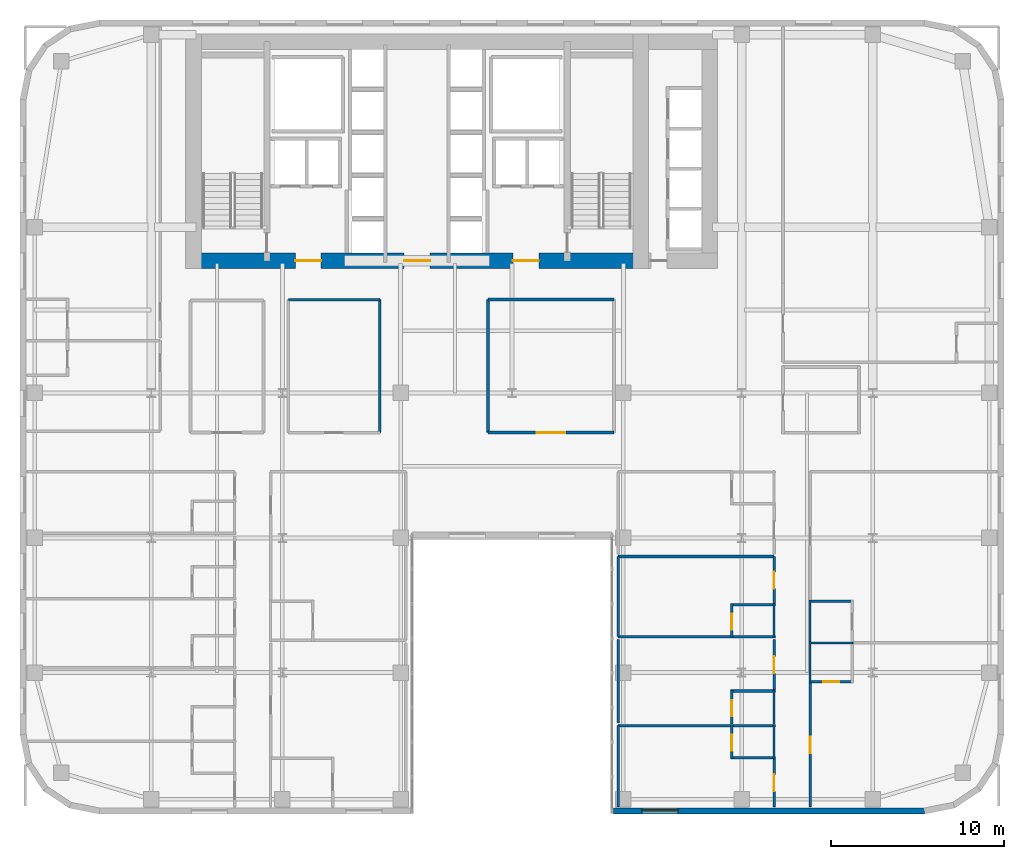
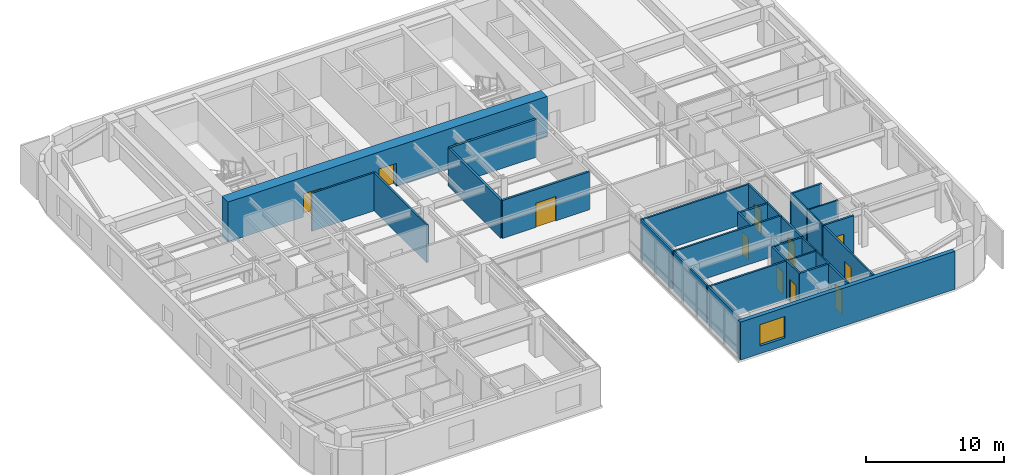
# One storey, part 12 of 16: 32 walls, 12 doors, 1 window, 13 openings.
"""IFC4 building model written with IfcOpenShell, lengths in metres."""

from ifc_helpers import new_model, si_unit, direction, frame, frame_2d, origin, place, context, subcontext, project, spatial, rectangle, extrude, source, transform, mapped, material, layer, layer_set, type_object, type_shapes, element, fill, save


model = new_model("IFC4")

# Units and contexts
model_context = context("Model", 3, precision=1e-05, world=origin(), true_north=direction((0.0, 1.0)))
body_context = subcontext(model_context, "Body", "Model", "MODEL_VIEW")
ifc_project = project(units=[si_unit("LENGTHUNIT", "METRE"), si_unit("AREAUNIT", "SQUARE_METRE"), si_unit("VOLUMEUNIT", "CUBIC_METRE"), si_unit("PLANEANGLEUNIT", "RADIAN"), si_unit("MASSUNIT", "GRAM", prefix="KILO")], contexts=[model_context])

# Site, building, storey
site_placement = place(None, origin())
site = spatial("IfcSite", under=ifc_project, at=site_placement, CompositionType="ELEMENT")
building_placement = place(site_placement, origin())
building = spatial("IfcBuilding", under=site, at=building_placement, Name="Tolvann Quenvar Hotel", CompositionType="ELEMENT")
storey_placement = place(building_placement, frame((0.0, 0.0, 85.25)))
storey = spatial("IfcBuildingStorey", under=building, at=storey_placement, Name="L21", CompositionType="ELEMENT", Elevation=85.25)

# Wall, openings, doors
ifc_material_1 = material(Name="Concrete S80 (80 MPa)", Category="concrete")
ifc_layer_1 = layer(ifc_material_1, 0.89990234375)
ifc_layer_set_1 = layer_set([ifc_layer_1], Name="Concrete S80 (80 MPa)")
wall_type_1 = type_object("IfcWallType", Name="WALL_CORE_900", PredefinedType="SHEAR", material=ifc_layer_set_1)
wall_1_placement = place(storey_placement, frame((9.60009765625, 32.050048828125, 0.0), z_axis=(0.0, 0.0, 1.0), x_axis=(1.0, 0.0, 0.0)))
wall_1 = element("IfcWall", 1, at=wall_1_placement, inside=storey, type_object=wall_type_1, Name="Rear Core S Shear Wall (L21)", PredefinedType="SHEAR", context=body_context, shape_type="SweptSolid", body=[
    extrude(rectangle(XDim=26.7998046875, YDim=0.89990234375, at=frame_2d((13.39990234375, 0.0))), origin(), (0.0, 0.0, 1.0), 3.550048828125),
])
opening_1_placement = place(wall_1_placement, frame((7.85009765625, 0.0, 0.0), z_axis=(0.0, 0.0, 1.0), x_axis=(-1.0, 0.0, 0.0)))
opening_1 = element("IfcOpeningElement", 2, at=opening_1_placement, cuts=wall_1, Name="Opening FD-60D", PredefinedType="OPENING", context=body_context, shape_type="SweptSolid", body=[
    extrude(rectangle(XDim=1.5, YDim=2.0400390625, at=frame_2d((0.75, 1.02001953125))), frame((0.0, 0.4599609375, 0.0), z_axis=(0.0, -1.0, 0.0), x_axis=(1.0, 0.0, 0.0)), (0.0, 0.0, 1.0), 0.919921875),
])
opening_2_placement = place(wall_1_placement, frame((14.14990234375, 0.0, 0.0), z_axis=(0.0, 0.0, 1.0), x_axis=(-1.0, 0.0, 0.0)))
opening_2 = element("IfcOpeningElement", 3, at=opening_2_placement, cuts=wall_1, Name="Opening FD-60D", PredefinedType="OPENING", context=body_context, shape_type="SweptSolid", body=[
    extrude(rectangle(XDim=1.5, YDim=2.0400390625, at=frame_2d((0.75, 1.02001953125))), frame((0.0, 0.4599609375, 0.0), z_axis=(0.0, -1.0, 0.0), x_axis=(1.0, 0.0, 0.0)), (0.0, 0.0, 1.0), 0.919921875),
])
opening_3_placement = place(wall_1_placement, frame((20.449951171875, 0.0, 0.0), z_axis=(0.0, 0.0, 1.0), x_axis=(-1.0, 0.0, 0.0)))
opening_3 = element("IfcOpeningElement", 4, at=opening_3_placement, cuts=wall_1, Name="Opening FD-60D", PredefinedType="OPENING", context=body_context, shape_type="SweptSolid", body=[
    extrude(rectangle(XDim=1.5, YDim=2.0400390625, at=frame_2d((0.75, 1.02001953125))), frame((0.0, 0.4599609375, 0.0), z_axis=(0.0, -1.0, 0.0), x_axis=(1.0, 0.0, 0.0)), (0.0, 0.0, 1.0), 0.919921875),
])
ifc_material_2 = material(Name="Solid-core American oak acoustic fire door leaf in steel frame", Category="steel")
door_type_1 = type_object("IfcDoorType", Name="DOOR_FIRE_LOBBY_1500", OperationType="NOTDEFINED", PredefinedType="DOOR", material=ifc_material_2)
shared_shape_1 = source(origin(), body_context, "Body", "SweptSolid", [
    extrude(rectangle(XDim=1.5, YDim=2.0400390625, at=frame_2d((0.75, 1.02001953125))), frame((0.0, 0.02490234375, 0.0), z_axis=(0.0, -1.0, 0.0), x_axis=(1.0, 0.0, 0.0)), (0.0, 0.0, 1.0), 0.050048828125),
])
type_shapes(door_type_1, [shared_shape_1])
door_1_placement = place(opening_1_placement, origin())
door_1 = element("IfcDoor", 5, at=door_1_placement, inside=storey, type_object=door_type_1, Name="Core Lobby Fire Door FFW (L21)", OperationType="DOUBLE_DOOR_SINGLE_SWING", OverallHeight=2.0400390625, OverallWidth=1.5, PredefinedType="DOOR", context=body_context, shape_type="MappedRepresentation", body=[
    mapped(shared_shape_1, transform((0.0, 0.0, 0.0), x_axis=(1.0, 0.0, 0.0), y_axis=(0.0, 1.0, 0.0), z_axis=(0.0, 0.0, 1.0), scale=1.0)),
])
fill(opening_1, door_1)
door_2_placement = place(opening_2_placement, origin())
door_2 = element("IfcDoor", 6, at=door_2_placement, inside=storey, type_object=door_type_1, Name="Core Lobby Fire Door CLOB (L21)", OperationType="DOUBLE_DOOR_SINGLE_SWING", OverallHeight=2.0400390625, OverallWidth=1.5, PredefinedType="DOOR", context=body_context, shape_type="MappedRepresentation", body=[
    mapped(shared_shape_1, transform((0.0, 0.0, 0.0), x_axis=(1.0, 0.0, 0.0), y_axis=(0.0, 1.0, 0.0), z_axis=(0.0, 0.0, 1.0), scale=1.0)),
])
fill(opening_2, door_2)
door_3_placement = place(opening_3_placement, origin())
door_3 = element("IfcDoor", 7, at=door_3_placement, inside=storey, type_object=door_type_1, Name="Core Lobby Fire Door FFE (L21)", OperationType="DOUBLE_DOOR_SINGLE_SWING", OverallHeight=2.0400390625, OverallWidth=1.5, PredefinedType="DOOR", context=body_context, shape_type="MappedRepresentation", body=[
    mapped(shared_shape_1, transform((0.0, 0.0, 0.0), x_axis=(1.0, 0.0, 0.0), y_axis=(0.0, 1.0, 0.0), z_axis=(0.0, 0.0, 1.0), scale=1.0)),
])
fill(opening_3, door_3)

# Wall, opening, window
ifc_material_3 = material(Name="Kiln-fired red and buff architectural clay brickwork and terracotta masonry", Category="masonry")
ifc_layer_2 = layer(ifc_material_3, 0.35009765625)
ifc_layer_set_2 = layer_set([ifc_layer_2], Name="Kiln-fired red and buff architectural clay brickwork and terracotta masonry")
wall_type_2 = type_object("IfcWallType", Name="WALL_EXT_BRICK_350", PredefinedType="SOLIDWALL", material=ifc_layer_set_2)
wall_2_placement = place(storey_placement, frame((34.375, 0.175048828125, 0.0), z_axis=(0.0, 0.0, 1.0), x_axis=(1.0, 0.0, 0.0)))
wall_2 = element("IfcWall", 8, at=wall_2_placement, inside=storey, type_object=wall_type_2, Name="Exterior Chicago Brick Wall L21-E08", PredefinedType="SOLIDWALL", context=body_context, shape_type="SweptSolid", body=[
    extrude(rectangle(XDim=18.0078125, YDim=0.35009765625, at=frame_2d((9.00390625, 0.0))), origin(), (0.0, 0.0, 1.0), 3.3701171875),
])
opening_4_placement = place(wall_2_placement, frame((1.65087890625, 0.0, 0.679931640625)))
opening_4 = element("IfcOpeningElement", 9, at=opening_4_placement, cuts=wall_2, Name="Opening W-02", PredefinedType="OPENING", context=body_context, shape_type="SweptSolid", body=[
    extrude(rectangle(XDim=2.10009765625, YDim=1.89990234375, at=frame_2d((1.050048828125, 0.949951171875))), frame((0.0, 0.18505859375, 0.0), z_axis=(0.0, -1.0, 0.0), x_axis=(1.0, 0.0, 0.0)), (0.0, 0.0, 1.0), 0.3701171875),
])
ifc_material_4 = material(Name="Thermally broken bronze-anodised aluminium frame with double low-E glazing", Category="aluminium")
window_type = type_object("IfcWindowType", Name="WIN_CHI_2100x2050", PartitioningType="TRIPLE_PANEL_HORIZONTAL", PredefinedType="WINDOW", material=ifc_material_4)
shared_shape_2 = source(origin(), body_context, "Body", "SweptSolid", [
    extrude(rectangle(XDim=2.10009765625, YDim=1.89990234375, at=frame_2d((1.050048828125, 0.949951171875))), frame((0.0, 0.090087890625, 0.0), z_axis=(0.0, -1.0, 0.0), x_axis=(1.0, 0.0, 0.0)), (0.0, 0.0, 1.0), 0.06005859375),
])
type_shapes(window_type, [shared_shape_2])
window_placement = place(opening_4_placement, origin())
window = element("IfcWindow", 10, at=window_placement, inside=storey, type_object=window_type, Name="Chicago Window W-02 (EW-L21-E08-W01)", OverallHeight=1.89990234375, OverallWidth=2.10009765625, PartitioningType="TRIPLE_PANEL_HORIZONTAL", PredefinedType="WINDOW", context=body_context, shape_type="MappedRepresentation", body=[
    mapped(shared_shape_2, transform((0.0, 0.0, 0.0), x_axis=(1.0, 0.0, 0.0), y_axis=(0.0, 1.0, 0.0), z_axis=(0.0, 0.0, 1.0), scale=1.0)),
])
fill(opening_4, window)

# Wall, opening, door
ifc_material_5 = material(Name="Acoustic twin-stud fire-rated gypsum plasterboard partition")
ifc_layer_3 = layer(ifc_material_5, 0.179931640625)
ifc_layer_set_3 = layer_set([ifc_layer_3], Name="Acoustic twin-stud fire-rated gypsum plasterboard partition")
wall_type_3 = type_object("IfcWallType", Name="WALL_PART_ACOUSTIC_180", PredefinedType="PARTITIONING", material=ifc_layer_set_3)
wall_3_placement = place(storey_placement, frame((27.10009765625, 22.10009765625, 0.0), z_axis=(0.0, 0.0, 1.0), x_axis=(1.0, 0.0, 0.0)))
wall_3 = element("IfcWall", 11, at=wall_3_placement, inside=storey, type_object=wall_type_3, Name="Interior Partition PT-SPC-L21-MSP-C-S", PredefinedType="PARTITIONING", context=body_context, shape_type="SweptSolid", body=[
    extrude(rectangle(XDim=7.2998046875, YDim=0.179931640625, at=frame_2d((3.64990234375, 0.0))), origin(), (0.0, 0.0, 1.0), 3.3701171875),
])
opening_5_placement = place(wall_3_placement, frame((2.824951171875, 0.0, 0.0)))
opening_5 = element("IfcOpeningElement", 12, at=opening_5_placement, cuts=wall_3, Name="Opening AD-01", PredefinedType="OPENING", context=body_context, shape_type="SweptSolid", body=[
    extrude(rectangle(XDim=1.64990234375, YDim=2.14990234375, at=frame_2d((0.824951171875, 1.074951171875))), frame((0.0, 0.10009765625, 0.0), z_axis=(0.0, -1.0, 0.0), x_axis=(1.0, 0.0, 0.0)), (0.0, 0.0, 1.0), 0.199951171875),
])
door_type_2 = type_object("IfcDoorType", Name="DOOR_SALON_1650", OperationType="NOTDEFINED", PredefinedType="DOOR", material=ifc_material_2)
shared_shape_3 = source(origin(), body_context, "Body", "SweptSolid", [
    extrude(rectangle(XDim=1.64990234375, YDim=2.14990234375, at=frame_2d((0.824951171875, 1.074951171875))), frame((0.0, 0.02490234375, 0.0), z_axis=(0.0, -1.0, 0.0), x_axis=(1.0, 0.0, 0.0)), (0.0, 0.0, 1.0), 0.050048828125),
])
type_shapes(door_type_2, [shared_shape_3])
door_4_placement = place(opening_5_placement, origin())
door_4 = element("IfcDoor", 13, at=door_4_placement, inside=storey, type_object=door_type_2, Name="Interior Door DOOR-SPC-L21-MSP-C", OperationType="DOUBLE_DOOR_SINGLE_SWING", OverallHeight=2.14990234375, OverallWidth=1.64990234375, PredefinedType="DOOR", context=body_context, shape_type="MappedRepresentation", body=[
    mapped(shared_shape_3, transform((0.0, 0.0, 0.0), x_axis=(1.0, 0.0, 0.0), y_axis=(0.0, 1.0, 0.0), z_axis=(0.0, 0.0, 1.0), scale=1.0)),
])
fill(opening_5, door_4)

# Walls
wall_4_placement = place(storey_placement, frame((27.10009765625, 29.800048828125, 0.0), z_axis=(0.0, 0.0, 1.0), x_axis=(1.0, 0.0, 0.0)))
element("IfcWall", 14, at=wall_4_placement, inside=storey, type_object=wall_type_3, Name="Interior Partition PT-SPC-L21-MSP-C-N", PredefinedType="PARTITIONING", context=body_context, shape_type="SweptSolid", body=[
    extrude(rectangle(XDim=7.2998046875, YDim=0.179931640625, at=frame_2d((3.64990234375, 0.0))), origin(), (0.0, 0.0, 1.0), 3.3701171875),
])
wall_5_placement = place(storey_placement, frame((27.10009765625, 22.10009765625, 0.0), z_axis=(0.0, 0.0, 1.0), x_axis=(0.0, 1.0, 0.0)))
element("IfcWall", 15, at=wall_5_placement, inside=storey, type_object=wall_type_3, Name="Interior Partition PT-SPC-L21-MSP-C-W", PredefinedType="PARTITIONING", context=body_context, shape_type="SweptSolid", body=[
    extrude(rectangle(XDim=7.699951171875, YDim=0.179931640625, at=frame_2d((3.85009765625, 0.0))), origin(), (0.0, 0.0, 1.0), 3.3701171875),
])
ifc_material_6 = material(Name="Moisture-resistant acoustic plumbing wall assembly")
ifc_layer_4 = layer(ifc_material_6, 0.1201171875)
ifc_layer_set_4 = layer_set([ifc_layer_4], Name="Moisture-resistant acoustic plumbing wall assembly")
wall_type_4 = type_object("IfcWallType", Name="WALL_PART_BATH_120", PredefinedType="PLUMBINGWALL", material=ifc_layer_set_4)
wall_6_placement = place(storey_placement, frame((41.159912109375, 5.1201171875, 0.0), z_axis=(0.0, 0.0, 1.0), x_axis=(1.0, 0.0, 0.0)))
element("IfcWall", 16, at=wall_6_placement, inside=storey, type_object=wall_type_4, Name="Non-Rated Plumbing Partition PT-SPC-L21-ENS-EI01-N", PredefinedType="PLUMBINGWALL", context=body_context, shape_type="SweptSolid", body=[
    extrude(rectangle(XDim=2.590087890625, YDim=0.1201171875, at=frame_2d((1.294921875, 0.0))), origin(), (0.0, 0.0, 1.0), 3.3701171875),
])
for number, where, z_axis, x_axis, name in (
    (17, (43.679931640625, 3.199951171875, 0.0), (0.0, 0.0, 1.0), (0.0, 1.0, 0.0), "Non-Rated Plumbing Partition PT-SPC-L21-ENS-EI01-E"),
    (18, (43.679931640625, 5.2099609375, 0.0), (0.0, 0.0, 1.0), (0.0, 1.0, 0.0), "Non-Rated Plumbing Partition PT-SPC-L21-ENS-EI02-E"),
    (19, (43.679931640625, 10.2099609375, 0.0), (0.0, 0.0, 1.0), (0.0, 1.0, 0.0), "Non-Rated Plumbing Partition PT-SPC-L21-ENS-EI03-E"),
):
    element("IfcWall", number, at=place(storey_placement, frame(where, z_axis=z_axis, x_axis=x_axis)), inside=storey, type_object=wall_type_4, Name=name, PredefinedType="PLUMBINGWALL", context=body_context, shape_type="SweptSolid", body=[
        extrude(rectangle(XDim=1.989990234375, YDim=0.1201171875, at=frame_2d((0.9951171875, 0.0))), origin(), (0.0, 0.0, 1.0), 3.3701171875),
    ])
wall_7_placement = place(storey_placement, frame((45.699951171875, 9.919921875, 0.0), z_axis=(0.0, 0.0, 1.0), x_axis=(1.0, 0.0, 0.0)))
element("IfcWall", 20, at=wall_7_placement, inside=storey, type_object=wall_type_4, Name="Non-Rated Plumbing Partition PT-SPC-L21-ENS-EO01-N", PredefinedType="PLUMBINGWALL", context=body_context, shape_type="SweptSolid", body=[
    extrude(rectangle(XDim=2.590087890625, YDim=0.1201171875, at=frame_2d((1.294921875, 0.0))), origin(), (0.0, 0.0, 1.0), 3.3701171875),
])
for number, where, z_axis, x_axis, name in (
    (21, (45.77001953125, 7.60009765625, 0.0), (0.0, 0.0, 1.0), (0.0, 1.0, 0.0), "Non-Rated Plumbing Partition PT-SPC-L21-ENS-EO01-W"),
    (22, (45.77001953125, 10.010009765625, 0.0), (0.0, 0.0, 1.0), (0.0, 1.0, 0.0), "Non-Rated Plumbing Partition PT-SPC-L21-ENS-EO02-W"),
):
    element("IfcWall", number, at=place(storey_placement, frame(where, z_axis=z_axis, x_axis=x_axis)), inside=storey, type_object=wall_type_4, Name=name, PredefinedType="PLUMBINGWALL", context=body_context, shape_type="SweptSolid", body=[
        extrude(rectangle(XDim=2.389892578125, YDim=0.1201171875, at=frame_2d((1.19482421875, 0.0))), origin(), (0.0, 0.0, 1.0), 3.3701171875),
    ])

# Wall, opening, door
ifc_layer_5 = layer(ifc_material_5, 0.14990234375)
ifc_layer_set_5 = layer_set([ifc_layer_5], Name="Acoustic twin-stud fire-rated gypsum plasterboard partition")
wall_type_5 = type_object("IfcWallType", Name="WALL_PART_SUITE_150", PredefinedType="PARTITIONING", material=ifc_layer_set_5)
wall_8_placement = place(storey_placement, frame((41.22998046875, 3.199951171875, 0.0), z_axis=(0.0, 0.0, 1.0), x_axis=(0.0, 1.0, 0.0)))
wall_8 = element("IfcWall", 23, at=wall_8_placement, inside=storey, type_object=wall_type_5, Name="Interior Partition PT-SPC-L21-ENS-EI01-ENT", PredefinedType="PARTITIONING", context=body_context, shape_type="SweptSolid", body=[
    extrude(rectangle(XDim=1.989990234375, YDim=0.14990234375, at=frame_2d((0.9951171875, 0.0))), origin(), (0.0, 0.0, 1.0), 3.3701171875),
])
opening_6_placement = place(wall_8_placement, frame((0.465087890625, 0.0, 0.0)))
opening_6 = element("IfcOpeningElement", 24, at=opening_6_placement, cuts=wall_8, Name="Opening WD-01", PredefinedType="OPENING", context=body_context, shape_type="SweptSolid", body=[
    extrude(rectangle(XDim=0.919921875, YDim=2.010009765625, at=frame_2d((0.4599609375, 1.0048828125))), frame((0.0, 0.0849609375, 0.0), z_axis=(0.0, -1.0, 0.0), x_axis=(1.0, 0.0, 0.0)), (0.0, 0.0, 1.0), 0.169921875),
])
door_type_3 = type_object("IfcDoorType", Name="DOOR_WC_920", OperationType="NOTDEFINED", PredefinedType="DOOR", material=ifc_material_2)
shared_shape_4 = source(origin(), body_context, "Body", "SweptSolid", [
    extrude(rectangle(XDim=0.919921875, YDim=2.010009765625, at=frame_2d((0.4599609375, 1.0048828125))), frame((0.0, 0.02490234375, 0.0), z_axis=(0.0, -1.0, 0.0), x_axis=(1.0, 0.0, 0.0)), (0.0, 0.0, 1.0), 0.050048828125),
])
type_shapes(door_type_3, [shared_shape_4])
door_5_placement = place(opening_6_placement, origin())
door_5 = element("IfcDoor", 25, at=door_5_placement, inside=storey, type_object=door_type_3, Name="Interior Door DOOR-SPC-L21-ENS-EI01", OperationType="SINGLE_SWING_LEFT", OverallHeight=2.010009765625, OverallWidth=0.919921875, PredefinedType="DOOR", context=body_context, shape_type="MappedRepresentation", body=[
    mapped(shared_shape_4, transform((0.0, 0.0, 0.0), x_axis=(1.0, 0.0, 0.0), y_axis=(0.0, 1.0, 0.0), z_axis=(0.0, 0.0, 1.0), scale=1.0)),
])
fill(opening_6, door_5)

# Wall
wall_9_placement = place(storey_placement, frame((41.159912109375, 3.27001953125, 0.0), z_axis=(0.0, 0.0, 1.0), x_axis=(1.0, 0.0, 0.0)))
element("IfcWall", 26, at=wall_9_placement, inside=storey, type_object=wall_type_5, Name="Interior Partition PT-SPC-L21-ENS-EI01-S", PredefinedType="PARTITIONING", context=body_context, shape_type="SweptSolid", body=[
    extrude(rectangle(XDim=2.590087890625, YDim=0.14990234375, at=frame_2d((1.294921875, 0.0))), origin(), (0.0, 0.0, 1.0), 3.3701171875),
])

# Wall, opening, door
wall_10_placement = place(storey_placement, frame((41.22998046875, 5.2099609375, 0.0), z_axis=(0.0, 0.0, 1.0), x_axis=(0.0, 1.0, 0.0)))
wall_10 = element("IfcWall", 27, at=wall_10_placement, inside=storey, type_object=wall_type_5, Name="Interior Partition PT-SPC-L21-ENS-EI02-ENT", PredefinedType="PARTITIONING", context=body_context, shape_type="SweptSolid", body=[
    extrude(rectangle(XDim=1.989990234375, YDim=0.14990234375, at=frame_2d((0.9951171875, 0.0))), origin(), (0.0, 0.0, 1.0), 3.3701171875),
])
opening_7_placement = place(wall_10_placement, frame((0.465087890625, 0.0, 0.0)))
opening_7 = element("IfcOpeningElement", 28, at=opening_7_placement, cuts=wall_10, Name="Opening WD-01", PredefinedType="OPENING", context=body_context, shape_type="SweptSolid", body=[
    extrude(rectangle(XDim=0.919921875, YDim=2.010009765625, at=frame_2d((0.4599609375, 1.0048828125))), frame((0.0, 0.0849609375, 0.0), z_axis=(0.0, -1.0, 0.0), x_axis=(1.0, 0.0, 0.0)), (0.0, 0.0, 1.0), 0.169921875),
])
door_6_placement = place(opening_7_placement, origin())
door_6 = element("IfcDoor", 29, at=door_6_placement, inside=storey, type_object=door_type_3, Name="Interior Door DOOR-SPC-L21-ENS-EI02", OperationType="SINGLE_SWING_RIGHT", OverallHeight=2.010009765625, OverallWidth=0.919921875, PredefinedType="DOOR", context=body_context, shape_type="MappedRepresentation", body=[
    mapped(shared_shape_4, transform((0.0, 0.0, 0.0), x_axis=(1.0, 0.0, 0.0), y_axis=(0.0, 1.0, 0.0), z_axis=(0.0, 0.0, 1.0), scale=1.0)),
])
fill(opening_7, door_6)

# Wall
wall_11_placement = place(storey_placement, frame((41.159912109375, 7.1298828125, 0.0), z_axis=(0.0, 0.0, 1.0), x_axis=(1.0, 0.0, 0.0)))
element("IfcWall", 30, at=wall_11_placement, inside=storey, type_object=wall_type_5, Name="Interior Partition PT-SPC-L21-ENS-EI02-N", PredefinedType="PARTITIONING", context=body_context, shape_type="SweptSolid", body=[
    extrude(rectangle(XDim=2.590087890625, YDim=0.14990234375, at=frame_2d((1.294921875, 0.0))), origin(), (0.0, 0.0, 1.0), 3.3701171875),
])

# Wall, opening, door
wall_12_placement = place(storey_placement, frame((41.22998046875, 10.2099609375, 0.0), z_axis=(0.0, 0.0, 1.0), x_axis=(0.0, 1.0, 0.0)))
wall_12 = element("IfcWall", 31, at=wall_12_placement, inside=storey, type_object=wall_type_5, Name="Interior Partition PT-SPC-L21-ENS-EI03-ENT", PredefinedType="PARTITIONING", context=body_context, shape_type="SweptSolid", body=[
    extrude(rectangle(XDim=1.989990234375, YDim=0.14990234375, at=frame_2d((0.9951171875, 0.0))), origin(), (0.0, 0.0, 1.0), 3.3701171875),
])
opening_8_placement = place(wall_12_placement, frame((0.465087890625, 0.0, 0.0)))
opening_8 = element("IfcOpeningElement", 32, at=opening_8_placement, cuts=wall_12, Name="Opening WD-01", PredefinedType="OPENING", context=body_context, shape_type="SweptSolid", body=[
    extrude(rectangle(XDim=0.919921875, YDim=2.010009765625, at=frame_2d((0.4599609375, 1.0048828125))), frame((0.0, 0.0849609375, 0.0), z_axis=(0.0, -1.0, 0.0), x_axis=(1.0, 0.0, 0.0)), (0.0, 0.0, 1.0), 0.169921875),
])
door_7_placement = place(opening_8_placement, origin())
door_7 = element("IfcDoor", 33, at=door_7_placement, inside=storey, type_object=door_type_3, Name="Interior Door DOOR-SPC-L21-ENS-EI03", OperationType="SINGLE_SWING_LEFT", OverallHeight=2.010009765625, OverallWidth=0.919921875, PredefinedType="DOOR", context=body_context, shape_type="MappedRepresentation", body=[
    mapped(shared_shape_4, transform((0.0, 0.0, 0.0), x_axis=(1.0, 0.0, 0.0), y_axis=(0.0, 1.0, 0.0), z_axis=(0.0, 0.0, 1.0), scale=1.0)),
])
fill(opening_8, door_7)

# Walls
wall_13_placement = place(storey_placement, frame((34.64990234375, 10.280029296875, 0.0), z_axis=(0.0, 0.0, 1.0), x_axis=(1.0, 0.0, 0.0)))
element("IfcWall", 34, at=wall_13_placement, inside=storey, type_object=wall_type_5, Name="Interior Partition PT-SPC-L21-ENS-EI03-S", PredefinedType="PARTITIONING", context=body_context, shape_type="SweptSolid", body=[
    extrude(rectangle(XDim=9.10009765625, YDim=0.14990234375, at=frame_2d((4.550048828125, 0.0))), origin(), (0.0, 0.0, 1.0), 3.3701171875),
])
wall_14_placement = place(storey_placement, frame((41.159912109375, 12.1298828125, 0.0), z_axis=(0.0, 0.0, 1.0), x_axis=(1.0, 0.0, 0.0)))
element("IfcWall", 35, at=wall_14_placement, inside=storey, type_object=wall_type_5, Name="Interior Partition PT-SPC-L21-ENS-EI03-N", PredefinedType="PARTITIONING", context=body_context, shape_type="SweptSolid", body=[
    extrude(rectangle(XDim=2.590087890625, YDim=0.14990234375, at=frame_2d((1.294921875, 0.0))), origin(), (0.0, 0.0, 1.0), 3.3701171875),
])

# Wall, opening, door
wall_15_placement = place(storey_placement, frame((45.699951171875, 7.669921875, 0.0), z_axis=(0.0, 0.0, 1.0), x_axis=(1.0, 0.0, 0.0)))
wall_15 = element("IfcWall", 36, at=wall_15_placement, inside=storey, type_object=wall_type_5, Name="Interior Partition PT-SPC-L21-ENS-EO01-S", PredefinedType="PARTITIONING", context=body_context, shape_type="SweptSolid", body=[
    extrude(rectangle(XDim=2.590087890625, YDim=0.14990234375, at=frame_2d((1.294921875, 0.0))), origin(), (0.0, 0.0, 1.0), 3.3701171875),
])
opening_9_placement = place(wall_15_placement, frame((0.8349609375, 0.0, 0.0)))
opening_9 = element("IfcOpeningElement", 37, at=opening_9_placement, cuts=wall_15, Name="Opening WD-01", PredefinedType="OPENING", context=body_context, shape_type="SweptSolid", body=[
    extrude(rectangle(XDim=0.919921875, YDim=2.010009765625, at=frame_2d((0.4599609375, 1.0048828125))), frame((0.0, 0.0849609375, 0.0), z_axis=(0.0, -1.0, 0.0), x_axis=(1.0, 0.0, 0.0)), (0.0, 0.0, 1.0), 0.169921875),
])
door_8_placement = place(opening_9_placement, origin())
door_8 = element("IfcDoor", 38, at=door_8_placement, inside=storey, type_object=door_type_3, Name="Interior Door DOOR-SPC-L21-ENS-EO01", OperationType="SINGLE_SWING_LEFT", OverallHeight=2.010009765625, OverallWidth=0.919921875, PredefinedType="DOOR", context=body_context, shape_type="MappedRepresentation", body=[
    mapped(shared_shape_4, transform((0.0, 0.0, 0.0), x_axis=(1.0, 0.0, 0.0), y_axis=(0.0, 1.0, 0.0), z_axis=(0.0, 0.0, 1.0), scale=1.0)),
])
fill(opening_9, door_8)

# Wall
wall_16_placement = place(storey_placement, frame((45.699951171875, 12.330078125, 0.0), z_axis=(0.0, 0.0, 1.0), x_axis=(1.0, 0.0, 0.0)))
element("IfcWall", 39, at=wall_16_placement, inside=storey, type_object=wall_type_5, Name="Interior Partition PT-SPC-L21-ENS-EO02-N", PredefinedType="PARTITIONING", context=body_context, shape_type="SweptSolid", body=[
    extrude(rectangle(XDim=2.590087890625, YDim=0.14990234375, at=frame_2d((1.294921875, 0.0))), origin(), (0.0, 0.0, 1.0), 3.3701171875),
])

# Wall, opening, door
wall_17_placement = place(storey_placement, frame((43.679931640625, 0.405029296875, 0.0), z_axis=(0.0, 0.0, 1.0), x_axis=(0.0, 1.0, 0.0)))
wall_17 = element("IfcWall", 40, at=wall_17_placement, inside=storey, type_object=wall_type_5, Name="Interior Partition PT-SPC-L21-RM-EI01-ENT", PredefinedType="PARTITIONING", context=body_context, shape_type="SweptSolid", body=[
    extrude(rectangle(XDim=2.784912109375, YDim=0.14990234375, at=frame_2d((1.392578125, 0.0))), origin(), (0.0, 0.0, 1.0), 3.3701171875),
])
opening_10_placement = place(wall_17_placement, frame((0.909912109375, 0.0, 0.0)))
opening_10 = element("IfcOpeningElement", 41, at=opening_10_placement, cuts=wall_17, Name="Opening SD-01", PredefinedType="OPENING", context=body_context, shape_type="SweptSolid", body=[
    extrude(rectangle(XDim=0.97998046875, YDim=2.1201171875, at=frame_2d((0.489990234375, 1.06005859375))), frame((0.0, 0.0849609375, 0.0), z_axis=(0.0, -1.0, 0.0), x_axis=(1.0, 0.0, 0.0)), (0.0, 0.0, 1.0), 0.169921875),
])
door_type_4 = type_object("IfcDoorType", Name="DOOR_SUITE_980", OperationType="NOTDEFINED", PredefinedType="DOOR", material=ifc_material_2)
shared_shape_5 = source(origin(), body_context, "Body", "SweptSolid", [
    extrude(rectangle(XDim=0.97998046875, YDim=2.1201171875, at=frame_2d((0.489990234375, 1.06005859375))), frame((0.0, 0.02490234375, 0.0), z_axis=(0.0, -1.0, 0.0), x_axis=(1.0, 0.0, 0.0)), (0.0, 0.0, 1.0), 0.050048828125),
])
type_shapes(door_type_4, [shared_shape_5])
door_9_placement = place(opening_10_placement, origin())
door_9 = element("IfcDoor", 42, at=door_9_placement, inside=storey, type_object=door_type_4, Name="Interior Door DOOR-SPC-L21-RM-EI01", OperationType="SINGLE_SWING_LEFT", OverallHeight=2.1201171875, OverallWidth=0.97998046875, PredefinedType="DOOR", context=body_context, shape_type="MappedRepresentation", body=[
    mapped(shared_shape_5, transform((0.0, 0.0, 0.0), x_axis=(1.0, 0.0, 0.0), y_axis=(0.0, 1.0, 0.0), z_axis=(0.0, 0.0, 1.0), scale=1.0)),
])
fill(opening_10, door_9)

# Walls
wall_18_placement = place(storey_placement, frame((34.64990234375, 5.1201171875, 0.0), z_axis=(0.0, 0.0, 1.0), x_axis=(1.0, 0.0, 0.0)))
element("IfcWall", 43, at=wall_18_placement, inside=storey, type_object=wall_type_5, Name="Interior Partition PT-SPC-L21-RM-EI01-E5", PredefinedType="PARTITIONING", context=body_context, shape_type="SweptSolid", body=[
    extrude(rectangle(XDim=6.56005859375, YDim=0.14990234375, at=frame_2d((3.280029296875, 0.0))), origin(), (0.0, 0.0, 1.0), 3.3701171875),
])
wall_19_placement = place(storey_placement, frame((34.64990234375, 0.405029296875, 0.0), z_axis=(0.0, 0.0, 1.0), x_axis=(0.0, 1.0, 0.0)))
element("IfcWall", 44, at=wall_19_placement, inside=storey, type_object=wall_type_5, Name="Interior Partition PT-SPC-L21-RM-EI01-E6", PredefinedType="PARTITIONING", context=body_context, shape_type="SweptSolid", body=[
    extrude(rectangle(XDim=4.715087890625, YDim=0.14990234375, at=frame_2d((2.357421875, 0.0))), origin(), (0.0, 0.0, 1.0), 3.3701171875),
])

# Wall, opening, door
wall_20_placement = place(storey_placement, frame((43.679931640625, 7.2099609375, 0.0), z_axis=(0.0, 0.0, 1.0), x_axis=(0.0, 1.0, 0.0)))
wall_20 = element("IfcWall", 45, at=wall_20_placement, inside=storey, type_object=wall_type_5, Name="Interior Partition PT-SPC-L21-RM-EI02-ENT", PredefinedType="PARTITIONING", context=body_context, shape_type="SweptSolid", body=[
    extrude(rectangle(XDim=2.91015625, YDim=0.14990234375, at=frame_2d((1.455078125, 0.0))), origin(), (0.0, 0.0, 1.0), 3.3701171875),
])
opening_11_placement = place(wall_20_placement, frame((0.945068359375, 0.0, 0.0)))
opening_11 = element("IfcOpeningElement", 46, at=opening_11_placement, cuts=wall_20, Name="Opening SD-01", PredefinedType="OPENING", context=body_context, shape_type="SweptSolid", body=[
    extrude(rectangle(XDim=0.97998046875, YDim=2.1201171875, at=frame_2d((0.489990234375, 1.06005859375))), frame((0.0, 0.0849609375, 0.0), z_axis=(0.0, -1.0, 0.0), x_axis=(1.0, 0.0, 0.0)), (0.0, 0.0, 1.0), 0.169921875),
])
door_10_placement = place(opening_11_placement, origin())
door_10 = element("IfcDoor", 47, at=door_10_placement, inside=storey, type_object=door_type_4, Name="Interior Door DOOR-SPC-L21-RM-EI02", OperationType="SINGLE_SWING_RIGHT", OverallHeight=2.1201171875, OverallWidth=0.97998046875, PredefinedType="DOOR", context=body_context, shape_type="MappedRepresentation", body=[
    mapped(shared_shape_5, transform((0.0, 0.0, 0.0), x_axis=(1.0, 0.0, 0.0), y_axis=(0.0, 1.0, 0.0), z_axis=(0.0, 0.0, 1.0), scale=1.0)),
])
fill(opening_11, door_10)

# Wall
wall_21_placement = place(storey_placement, frame((34.64990234375, 5.280029296875, 0.0), z_axis=(0.0, 0.0, 1.0), x_axis=(0.0, 1.0, 0.0)))
element("IfcWall", 48, at=wall_21_placement, inside=storey, type_object=wall_type_5, Name="Interior Partition PT-SPC-L21-RM-EI02-E6", PredefinedType="PARTITIONING", context=body_context, shape_type="SweptSolid", body=[
    extrude(rectangle(XDim=4.840087890625, YDim=0.14990234375, at=frame_2d((2.419921875, 0.0))), origin(), (0.0, 0.0, 1.0), 3.3701171875),
])

# Wall, opening, door
wall_22_placement = place(storey_placement, frame((43.679931640625, 12.2099609375, 0.0), z_axis=(0.0, 0.0, 1.0), x_axis=(0.0, 1.0, 0.0)))
wall_22 = element("IfcWall", 49, at=wall_22_placement, inside=storey, type_object=wall_type_5, Name="Interior Partition PT-SPC-L21-RM-EI03-ENT", PredefinedType="PARTITIONING", context=body_context, shape_type="SweptSolid", body=[
    extrude(rectangle(XDim=2.7099609375, YDim=0.14990234375, at=frame_2d((1.35498046875, 0.0))), origin(), (0.0, 0.0, 1.0), 3.3701171875),
])
opening_12_placement = place(wall_22_placement, frame((0.844970703125, 0.0, 0.0)))
opening_12 = element("IfcOpeningElement", 50, at=opening_12_placement, cuts=wall_22, Name="Opening SD-01", PredefinedType="OPENING", context=body_context, shape_type="SweptSolid", body=[
    extrude(rectangle(XDim=0.97998046875, YDim=2.1201171875, at=frame_2d((0.489990234375, 1.06005859375))), frame((0.0, 0.0849609375, 0.0), z_axis=(0.0, -1.0, 0.0), x_axis=(1.0, 0.0, 0.0)), (0.0, 0.0, 1.0), 0.169921875),
])
door_11_placement = place(opening_12_placement, origin())
door_11 = element("IfcDoor", 51, at=door_11_placement, inside=storey, type_object=door_type_4, Name="Interior Door DOOR-SPC-L21-RM-EI03", OperationType="SINGLE_SWING_LEFT", OverallHeight=2.1201171875, OverallWidth=0.97998046875, PredefinedType="DOOR", context=body_context, shape_type="MappedRepresentation", body=[
    mapped(shared_shape_5, transform((0.0, 0.0, 0.0), x_axis=(1.0, 0.0, 0.0), y_axis=(0.0, 1.0, 0.0), z_axis=(0.0, 0.0, 1.0), scale=1.0)),
])
fill(opening_12, door_11)

# Walls
wall_23_placement = place(storey_placement, frame((34.64990234375, 14.919921875, 0.0), z_axis=(0.0, 0.0, 1.0), x_axis=(1.0, 0.0, 0.0)))
element("IfcWall", 52, at=wall_23_placement, inside=storey, type_object=wall_type_5, Name="Interior Partition PT-SPC-L21-RM-EI03-E5", PredefinedType="PARTITIONING", context=body_context, shape_type="SweptSolid", body=[
    extrude(rectangle(XDim=9.030029296875, YDim=0.14990234375, at=frame_2d((4.51513671875, 0.0))), origin(), (0.0, 0.0, 1.0), 3.3701171875),
])
wall_24_placement = place(storey_placement, frame((34.64990234375, 10.280029296875, 0.0), z_axis=(0.0, 0.0, 1.0), x_axis=(0.0, 1.0, 0.0)))
element("IfcWall", 53, at=wall_24_placement, inside=storey, type_object=wall_type_5, Name="Interior Partition PT-SPC-L21-RM-EI03-E6", PredefinedType="PARTITIONING", context=body_context, shape_type="SweptSolid", body=[
    extrude(rectangle(XDim=4.639892578125, YDim=0.14990234375, at=frame_2d((2.31982421875, 0.0))), origin(), (0.0, 0.0, 1.0), 3.3701171875),
])

# Wall, opening, door
wall_25_placement = place(storey_placement, frame((45.77001953125, 0.405029296875, 0.0), z_axis=(0.0, 0.0, 1.0), x_axis=(0.0, 1.0, 0.0)))
wall_25 = element("IfcWall", 54, at=wall_25_placement, inside=storey, type_object=wall_type_5, Name="Interior Partition PT-SPC-L21-RM-EO01-ENT", PredefinedType="PARTITIONING", context=body_context, shape_type="SweptSolid", body=[
    extrude(rectangle(XDim=7.18505859375, YDim=0.14990234375, at=frame_2d((3.592529296875, 0.0))), origin(), (0.0, 0.0, 1.0), 3.3701171875),
])
opening_13_placement = place(wall_25_placement, frame((3.110107421875, 0.0, 0.0)))
opening_13 = element("IfcOpeningElement", 55, at=opening_13_placement, cuts=wall_25, Name="Opening SD-01", PredefinedType="OPENING", context=body_context, shape_type="SweptSolid", body=[
    extrude(rectangle(XDim=0.97998046875, YDim=2.1201171875, at=frame_2d((0.489990234375, 1.06005859375))), frame((0.0, 0.0849609375, 0.0), z_axis=(0.0, -1.0, 0.0), x_axis=(1.0, 0.0, 0.0)), (0.0, 0.0, 1.0), 0.169921875),
])
door_12_placement = place(opening_13_placement, origin())
door_12 = element("IfcDoor", 56, at=door_12_placement, inside=storey, type_object=door_type_4, Name="Interior Door DOOR-SPC-L21-RM-EO01", OperationType="SINGLE_SWING_LEFT", OverallHeight=2.1201171875, OverallWidth=0.97998046875, PredefinedType="DOOR", context=body_context, shape_type="MappedRepresentation", body=[
    mapped(shared_shape_5, transform((0.0, 0.0, 0.0), x_axis=(1.0, 0.0, 0.0), y_axis=(0.0, 1.0, 0.0), z_axis=(0.0, 0.0, 1.0), scale=1.0)),
])
fill(opening_13, door_12)

# Walls
wall_26_placement = place(storey_placement, frame((15.550048828125, 29.800048828125, 0.0), z_axis=(0.0, 0.0, 1.0), x_axis=(1.0, 0.0, 0.0)))
element("IfcWall", 57, at=wall_26_placement, inside=storey, type_object=wall_type_5, Name="Interior Partition PT-SPC-L21-MSP-N-N", PredefinedType="PARTITIONING", context=body_context, shape_type="SweptSolid", body=[
    extrude(rectangle(XDim=5.300048828125, YDim=0.14990234375, at=frame_2d((2.64990234375, 0.0))), origin(), (0.0, 0.0, 1.0), 3.3701171875),
])
wall_27_placement = place(storey_placement, frame((20.85009765625, 22.10009765625, 0.0), z_axis=(0.0, 0.0, 1.0), x_axis=(0.0, 1.0, 0.0)))
element("IfcWall", 58, at=wall_27_placement, inside=storey, type_object=wall_type_5, Name="Interior Partition PT-SPC-L21-MSP-N-E", PredefinedType="PARTITIONING", context=body_context, shape_type="SweptSolid", body=[
    extrude(rectangle(XDim=7.699951171875, YDim=0.14990234375, at=frame_2d((3.85009765625, 0.0))), origin(), (0.0, 0.0, 1.0), 3.3701171875),
])

save(model, "model.ifc")
